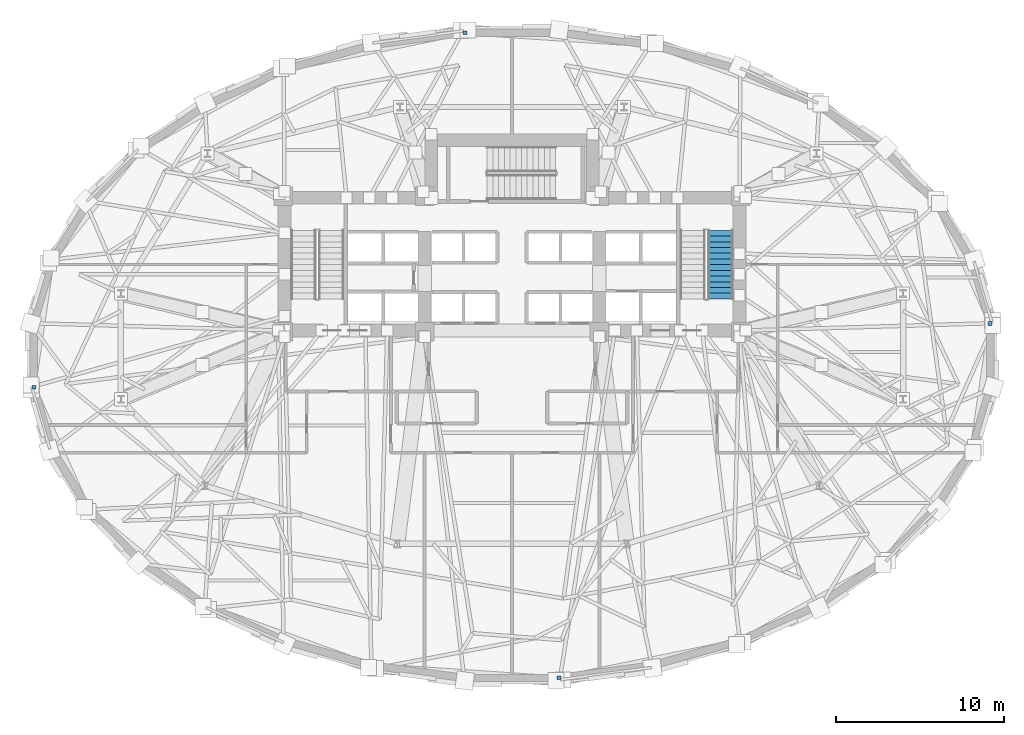
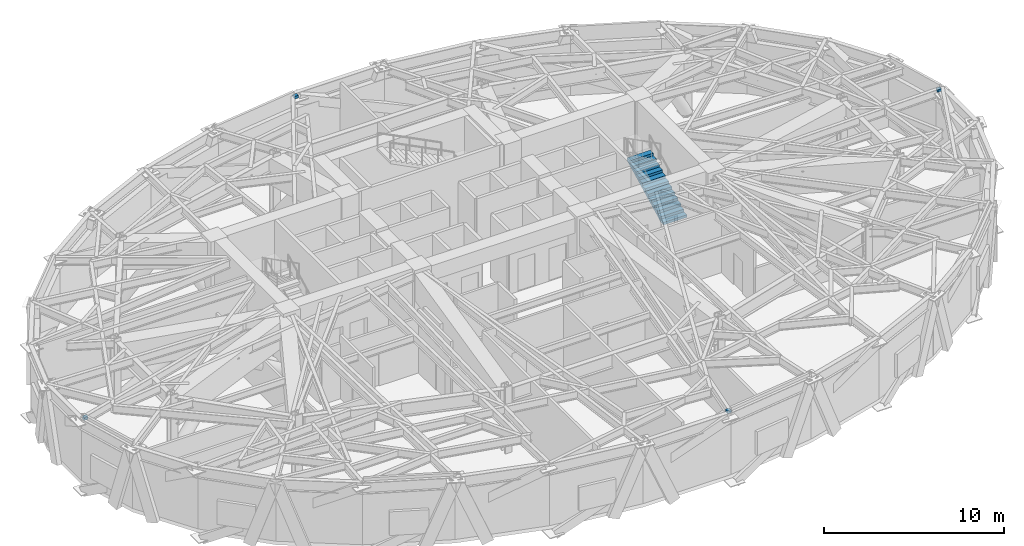
# One storey, part 10 of 14: 4 discrete accessories, 1 stair flight, 1 element without a shape of its own.
"""IFC4 building model written with IfcOpenShell, lengths in metres."""

import ifcopenshell
import ifcopenshell.guid

model = None  # the IFC model being written
_history = None  # IfcOwnerHistory: only IFC2X3 demands one
_inside = {}  # id of a spatial element -> (the spatial element, [elements in it])
_under = {}  # id of a project, library or spatial element -> (it, [spatial elements below it])
_declared = {}  # id of a project -> (the project, [libraries it declares])
_typed = {}  # id of a type object -> (the type object, [elements of that type])
_made_of = {}  # id of a material, layer set ... -> (it, [elements and type objects made of it])


def new_model(schema):
    """Start an empty IFC model of exactly this schema.

    Asked for "IFC4X3", IfcOpenShell would pick the latest addendum, in which some entities
    have other attributes; the version numbers below select the first issue.
    IFC2X3 requires an IfcOwnerHistory on every rooted entity: one is made here for all.
    """
    global model, _history
    if schema == "IFC4X3":
        model = ifcopenshell.file(schema_version=(4, 3, 0, 0))
    else:
        model = ifcopenshell.file(schema=schema)
    _inside.clear()
    _under.clear()
    _declared.clear()
    _typed.clear()
    _made_of.clear()
    _history = None
    if model.schema == "IFC2X3":
        org = make("IfcOrganization", Name="unknown")
        user = make(
            "IfcPersonAndOrganization",
            ThePerson=make("IfcPerson", FamilyName="unknown"),
            TheOrganization=org,
        )
        app = make(
            "IfcApplication",
            ApplicationDeveloper=org,
            Version="unknown",
            ApplicationFullName="unknown",
            ApplicationIdentifier="unknown",
        )
        _history = make(
            "IfcOwnerHistory",
            OwningUser=user,
            OwningApplication=app,
            ChangeAction="ADDED",
            CreationDate=0,
        )
    return model


def make(cls, **values):
    """One entity of the class cls with the attributes given. An attribute that is None is left unset."""
    return model.create_entity(
        cls, **{name: value for name, value in values.items() if value is not None}
    )


def rooted(cls, **values):
    """An entity with a GlobalId (a new one), such as an element, a storey or a relation."""
    return make(cls, GlobalId=ifcopenshell.guid.new(), OwnerHistory=_history, **values)


def si_unit(unit_type, name, prefix=None):
    """IfcSIUnit, for example si_unit("LENGTHUNIT", "METRE", prefix="MILLI")."""
    return make("IfcSIUnit", UnitType=unit_type, Prefix=prefix, Name=name)


def assignment(units):
    """IfcUnitAssignment: the units of a project."""
    return None if units is None else make("IfcUnitAssignment", Units=units)


def point(xyz):
    """IfcCartesianPoint."""
    return None if xyz is None else make("IfcCartesianPoint", Coordinates=xyz)


def direction(xyz):
    """IfcDirection."""
    return None if xyz is None else make("IfcDirection", DirectionRatios=xyz)


def frame(location, z_axis=None, x_axis=None):
    """IfcAxis2Placement3D, a coordinate frame: its origin and axes. An axis left out is left unset."""
    return make(
        "IfcAxis2Placement3D",
        Location=point(location),
        Axis=direction(z_axis),
        RefDirection=direction(x_axis),
    )


def frame_2d(location, x_axis=None):
    """IfcAxis2Placement2D, a coordinate frame in the plane: its origin and x axis."""
    return make(
        "IfcAxis2Placement2D", Location=point(location), RefDirection=direction(x_axis)
    )


def origin():
    """The frame at (0, 0, 0) with its axes left unset."""
    return frame((0.0, 0.0, 0.0))


def origin_2d():
    """The frame at (0, 0) in the plane with its x axis left unset."""
    return frame_2d((0.0, 0.0))


def place(relative_to, where):
    """IfcLocalPlacement: puts the frame where relative to a parent placement (None: the world)."""
    return make(
        "IfcLocalPlacement", PlacementRelTo=relative_to, RelativePlacement=where
    )


def context(
    kind, dimensions, precision=None, world=None, true_north=None, identifier=None
):
    """IfcGeometricRepresentationContext, for example the 3D "Model" context."""
    return make(
        "IfcGeometricRepresentationContext",
        ContextIdentifier=identifier,
        ContextType=kind,
        CoordinateSpaceDimension=dimensions,
        Precision=precision,
        WorldCoordinateSystem=world,
        TrueNorth=true_north,
    )


def subcontext(parent, identifier, kind, view, scale=None):
    """IfcGeometricRepresentationSubContext, for example "Body" below "Model"."""
    return make(
        "IfcGeometricRepresentationSubContext",
        ContextIdentifier=identifier,
        ContextType=kind,
        ParentContext=parent,
        TargetScale=scale,
        TargetView=view,
    )


def project(units=None, contexts=None):
    """IfcProject with its units and contexts."""
    return rooted(
        "IfcProject",
        Name="project",
        RepresentationContexts=contexts,
        UnitsInContext=assignment(units),
    )


def spatial(cls, under=None, at=None, **own):
    """A site, building, storey or space (cls), placed at a placement, below another one or the project."""
    s = rooted(cls, ObjectPlacement=at, **own)
    if under is not None:
        _under.setdefault(under.id(), (under, []))[1].append(s)
    return s


def polyline(points):
    """IfcPolyline through the points."""
    return make("IfcPolyline", Points=[point(p) for p in points])


def profile(cls, at=None, kind="AREA", **sizes):
    """A parametric profile (cls). Its sizes go by their IFC names, for example OverallWidth=200.0."""
    return make(cls, ProfileType=kind, Position=at, **sizes)


def rectangle(**sizes):
    """IfcRectangleProfileDef."""
    return profile("IfcRectangleProfileDef", **sizes)


def outline(outer, holes=None, kind="AREA"):
    """IfcArbitraryClosedProfileDef: a profile drawn as a closed curve; with holes, ...WithVoids."""
    if holes is None:
        return make("IfcArbitraryClosedProfileDef", ProfileType=kind, OuterCurve=outer)
    return make(
        "IfcArbitraryProfileDefWithVoids",
        ProfileType=kind,
        OuterCurve=outer,
        InnerCurves=holes,
    )


def extrude(swept, where, along, depth):
    """IfcExtrudedAreaSolid: the profile swept, set in the frame where, extruded along a direction by depth."""
    return make(
        "IfcExtrudedAreaSolid",
        SweptArea=swept,
        Position=where,
        ExtrudedDirection=direction(along),
        Depth=depth,
    )


def shape(context_of_items, identifier, shape_type, items):
    """IfcShapeRepresentation: the items that make up one representation, for example the "Body"."""
    return make(
        "IfcShapeRepresentation",
        ContextOfItems=context_of_items,
        RepresentationIdentifier=identifier,
        RepresentationType=shape_type,
        Items=items,
    )


def material(Name=None, Category=None):
    """IfcMaterial."""
    return make("IfcMaterial", Name=Name, Category=Category)


def made_of(thing, what):
    """Note that an element or type object is made of a material, layer set ...; save() writes the relation."""
    if what is not None:
        _made_of.setdefault(what.id(), (what, []))[1].append(thing)
    return thing


def type_object(cls, material=None, **own):
    """A type object (cls), such as IfcWallType, which elements share."""
    return made_of(rooted(cls, **own), material)


def element(
    cls,
    number,
    at=None,
    inside=None,
    cuts=None,
    type_object=None,
    material=None,
    context=None,
    identifier="Body",
    shape_type=None,
    held_by="IfcProductDefinitionShape",
    body=None,
    shapes=None,
    **own,
):
    """One element of the class cls, such as IfcWall. Its Tag is "e" and its number.

    at: its placement. inside: the storey or other place that contains it. cuts: it is an
    opening in that element (IfcRelVoidsElement). A single representation is given by context,
    identifier, shape_type and body (its items); several are given by shapes. held_by: the class
    of the entity that holds the representations. save() writes the other relations.
    """
    e = rooted(cls, Tag="e%d" % number, ObjectPlacement=at, **own)
    if body is not None:
        shapes = [shape(context, identifier, shape_type, body)]
    if shapes is not None:
        e.Representation = make(held_by, Representations=shapes)
    if inside is not None:
        _inside.setdefault(inside.id(), (inside, []))[1].append(e)
    if cuts is not None:
        rooted(
            "IfcRelVoidsElement", RelatingBuildingElement=cuts, RelatedOpeningElement=e
        )
    if type_object is not None:
        _typed.setdefault(type_object.id(), (type_object, []))[1].append(e)
    return made_of(e, material)


def aggregate(whole, parts):
    """IfcRelAggregates: a whole, such as a stair, and the parts it consists of."""
    return rooted("IfcRelAggregates", RelatingObject=whole, RelatedObjects=parts)


def save(model, path):
    """Write the relations noted so far, then the file.

    IfcRelAggregates (storeys below a building ...), IfcRelContainedInSpatialStructure (elements
    in a storey), IfcRelDefinesByType, IfcRelAssociatesMaterial and IfcRelDeclares: one each for
    every whole, place, type object, material and project.
    """
    for whole, parts in _under.values():
        aggregate(whole, parts)
    for where, things in _inside.values():
        rooted(
            "IfcRelContainedInSpatialStructure",
            RelatedElements=things,
            RelatingStructure=where,
        )
    for kind, things in _typed.values():
        rooted("IfcRelDefinesByType", RelatedObjects=things, RelatingType=kind)
    for what, things in _made_of.values():
        rooted("IfcRelAssociatesMaterial", RelatedObjects=things, RelatingMaterial=what)
    for by, libraries in _declared.values():
        rooted("IfcRelDeclares", RelatingContext=by, RelatedDefinitions=libraries)
    model.write(path)


model = new_model("IFC4")

# Units and contexts
model_context = context("Model", 3, precision=1e-05, world=origin(), true_north=direction((0.0, 1.0)))
body_context = subcontext(model_context, "Body", "Model", "MODEL_VIEW")
ifc_project = project(units=[si_unit("LENGTHUNIT", "METRE"), si_unit("AREAUNIT", "SQUARE_METRE"), si_unit("VOLUMEUNIT", "CUBIC_METRE"), si_unit("PLANEANGLEUNIT", "RADIAN"), si_unit("MASSUNIT", "GRAM", prefix="KILO")], contexts=[model_context])

# Site, building, storey
site_placement = place(None, origin())
site = spatial("IfcSite", under=ifc_project, at=site_placement, CompositionType="ELEMENT")
building_placement = place(site_placement, origin())
building = spatial("IfcBuilding", under=site, at=building_placement, Name="Keldmark Tower", CompositionType="ELEMENT")
storey_placement = place(building_placement, frame((0.0, 0.0, 77.39990234375)))
storey = spatial("IfcBuildingStorey", under=building, at=storey_placement, Name="L20", CompositionType="ELEMENT", Elevation=77.39990234375)

# Stair, stair flight
ifc_material_1 = material(Name="Concrete C40/50", Category="concrete")
stair_type = type_object("IfcStairType", Name="Precast Concrete Core Exit Stair", PredefinedType="HALF_TURN_STAIR", material=ifc_material_1)
stair_placement = place(storey_placement, origin())
stair = element("IfcStair", 1, at=stair_placement, inside=storey, type_object=stair_type, Name="L20 Exit Stair ST2", PredefinedType="HALF_TURN_STAIR")
ifc_material_2 = material(Name="Concrete C40/50", Category="concrete")
stair_flight_type = type_object("IfcStairFlightType", Name="Precast Concrete Stair Flight 1500 mm", PredefinedType="STRAIGHT", material=ifc_material_2)
stair_flight_placement = place(storey_placement, frame((12.39990234375, 3.35009765625, 0.0), z_axis=(0.0, 0.0, 1.0), x_axis=(0.0, 1.0, 0.0)))
stair_flight = element("IfcStairFlight", 2, at=stair_flight_placement, type_object=stair_flight_type, Name="ST2 flight 1", NumberOfRisers=13, NumberOfTreads=12, PredefinedType="STRAIGHT", RiserHeight=0.173076923, TreadLength=0.34, context=body_context, shape_type="SweptSolid", body=[
    extrude(outline(polyline([(0.0, 0.0), (0.0, 0.173095703125), (0.340087890625, 0.173095703125), (0.340087890625, 0.34619140625), (0.679931640625, 0.34619140625), (0.679931640625, 0.519287109375), (1.02001953125, 0.519287109375), (1.02001953125, 0.6923828125), (1.360107421875, 0.6923828125), (1.360107421875, 0.865478515625), (1.699951171875, 0.865478515625), (1.699951171875, 1.03857421875), (2.0400390625, 1.03857421875), (2.0400390625, 1.21142578125), (2.3798828125, 1.21142578125), (2.3798828125, 1.384521484375), (2.719970703125, 1.384521484375), (2.719970703125, 1.5576171875), (3.06005859375, 1.5576171875), (3.06005859375, 1.730712890625), (3.39990234375, 1.730712890625), (3.39990234375, 1.90380859375), (3.739990234375, 1.90380859375), (3.739990234375, 2.076904296875), (4.080078125, 2.076904296875), (4.080078125, 2.25), (4.080078125, 1.90869140625), (0.330322265625, 0.0), (0.0, 0.0)])), frame((0.0, 0.75, 0.0), z_axis=(0.0, -1.0, 0.0), x_axis=(1.0, 0.0, 0.0)), (0.0, 0.0, 1.0), 1.5),
])
aggregate(stair, [stair_flight])

# Discrete accessories
ifc_material_3 = material(Name="Hot-Dip Galvanized Steel ASTM A572 Grade 50", Category="steel")
discrete_accessory_type = type_object("IfcDiscreteAccessoryType", Name="Masonry Spandrel Shelf-Angle Bracket", PredefinedType="BRACKET", material=ifc_material_3)
for number, where, z_axis, x_axis, name in (
    (3, (28.421875, 1.895263671875, 4.09033203125), (0.0, 0.0, 1.0), (1.0, 0.0, 0.0), "L20 Masonry Shelf-Angle Bracket 00"),
    (4, (-2.788330078125, 19.168701171875, 4.09033203125), (0.0, 0.0, 1.0), (1.0, 0.0, 0.0), "L20 Masonry Shelf-Angle Bracket 08"),
    (5, (-28.421875, -1.895263671875, 4.09033203125), (0.0, 0.0, 1.0), (1.0, 0.0, 0.0), "L20 Masonry Shelf-Angle Bracket 16"),
    (6, (2.788330078125, -19.168701171875, 4.09033203125), (0.0, 0.0, 1.0), (1.0, 0.0, 0.0), "L20 Masonry Shelf-Angle Bracket 24"),
):
    element("IfcDiscreteAccessory", number, at=place(storey_placement, frame(where, z_axis=z_axis, x_axis=x_axis)), inside=storey, type_object=discrete_accessory_type, Name=name, PredefinedType="BRACKET", context=body_context, shape_type="SweptSolid", body=[
        extrude(rectangle(XDim=0.239990234375, YDim=0.219970703125, at=origin_2d()), origin(), (0.0, 0.0, 1.0), 0.179931640625),
    ])

save(model, "model.ifc")
